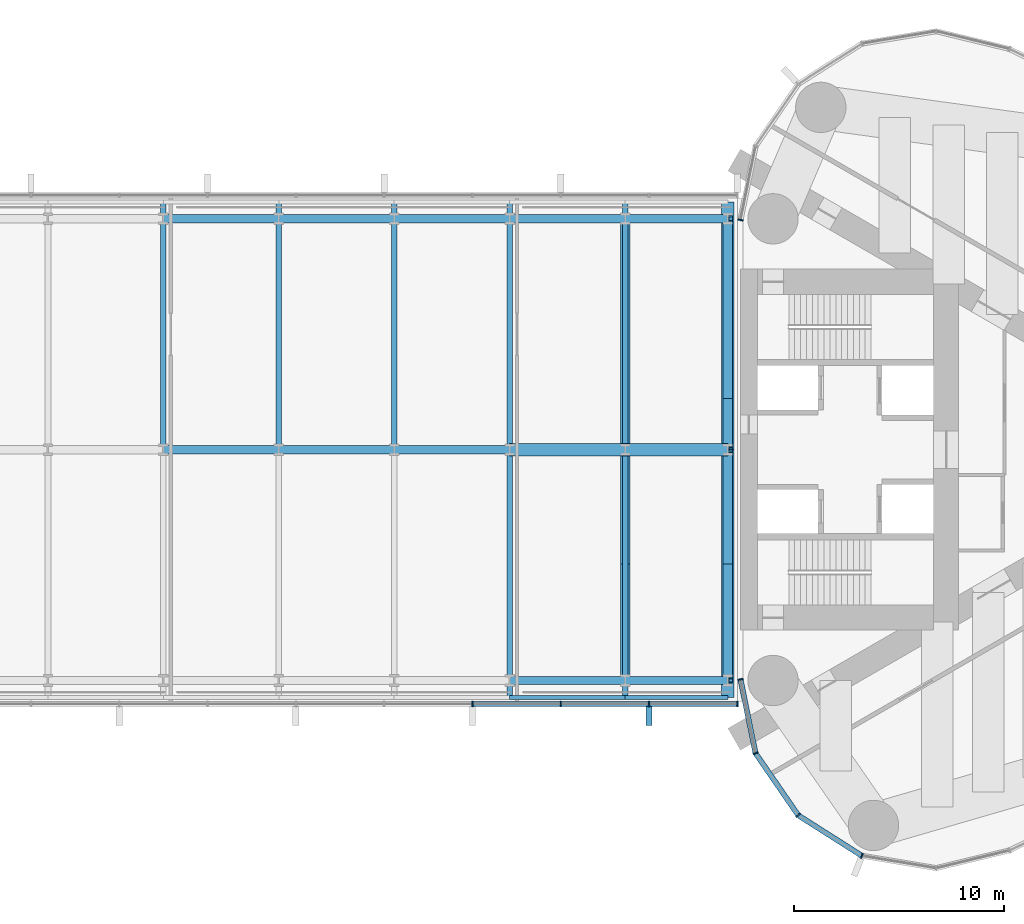
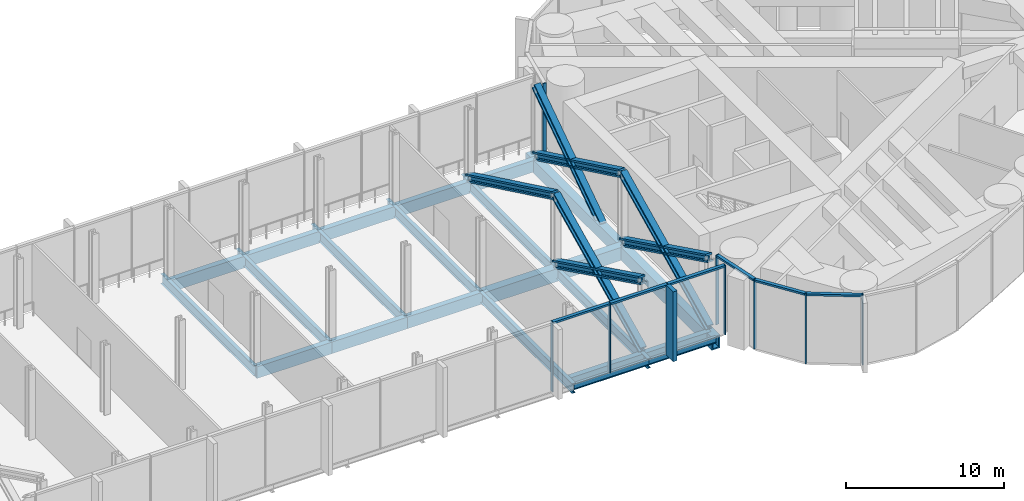
# One storey, part 8 of 21: 23 beams, 23 members, 2 elements without a shape of their own.
"""IFC4 building model written with IfcOpenShell, lengths in metres."""

from ifc_helpers import new_model, si_unit, direction, frame, origin, origin_2d, place, context, subcontext, project, spatial, rectangle, hollow_rectangle, i_section, extrude, material, material_profile, profile_set, type_object, element, aggregate, save


model = new_model("IFC4")

# Units and contexts
model_context = context("Model", 3, precision=1e-05, world=origin(), true_north=direction((0.0, 1.0)))
body_context = subcontext(model_context, "Body", "Model", "MODEL_VIEW")
ifc_project = project(units=[si_unit("LENGTHUNIT", "METRE"), si_unit("AREAUNIT", "SQUARE_METRE"), si_unit("VOLUMEUNIT", "CUBIC_METRE"), si_unit("PLANEANGLEUNIT", "RADIAN"), si_unit("MASSUNIT", "GRAM", prefix="KILO")], contexts=[model_context])

# Site, building, storey
site_placement = place(None, origin())
site = spatial("IfcSite", under=ifc_project, at=site_placement, CompositionType="ELEMENT")
building_placement = place(site_placement, origin())
building = spatial("IfcBuilding", under=site, at=building_placement, Name="Lancet Gate Hotel", CompositionType="ELEMENT")
storey_placement = place(building_placement, frame((0.0, 0.0, 251.89990234375)))
storey = spatial("IfcBuildingStorey", under=building, at=storey_placement, Name="L67", CompositionType="ELEMENT", Elevation=251.89990234375)

# Curtain wall, members
ifc_material_1 = material(Name="Aluminium curtain wall", Category="aluminium")
curtain_wall_type = type_object("IfcCurtainWallType", Name="Sky deck full-height glazing", PredefinedType="USERDEFINED", material=ifc_material_1)
curtain_wall_1_placement = place(storey_placement, origin())
curtain_wall_1 = element("IfcCurtainWall", 1, at=curtain_wall_1_placement, inside=storey, type_object=curtain_wall_type, Name="T2 L67 curtain wall 1", ObjectType="UNITISED CURTAIN WALL", PredefinedType="USERDEFINED")
ifc_material_2 = material(Name="Aluminium mullion", Category="aluminium")
ifc_material_profile_1 = material_profile(ifc_material_2, rectangle(XDim=0.06494140625, YDim=0.25, at=origin_2d()), Name="MULLION 65x250")
ifc_profile_set_1 = profile_set([ifc_material_profile_1], Name="Aluminium mullion")
member_type_1 = type_object("IfcMemberType", Name="Aluminium mullion 65x250", PredefinedType="MULLION", material=ifc_profile_set_1)
member_1_placement = place(storey_placement, frame((27.5, -10.947998046875, 0.0), z_axis=(0.0, 0.0, 1.0), x_axis=(0.199533486841, -0.979891008036, 0.0)))
member_1 = element("IfcMember", 2, at=member_1_placement, type_object=member_type_1, Name="T2 L67 curtain wall 1 mullion 1", PredefinedType="MULLION", context=body_context, shape_type="SweptSolid", body=[
    extrude(rectangle(XDim=0.06494140625, YDim=0.25, at=origin_2d()), origin(), (0.0, 0.0, 1.0), 5.400146484375),
])
member_2_placement = place(storey_placement, frame((28.216552734375, -14.467529296875, 0.0), z_axis=(0.0, 0.0, 1.0), x_axis=(0.391042139098, -0.920372775265, 0.0)))
member_2 = element("IfcMember", 3, at=member_2_placement, type_object=member_type_1, Name="T2 L67 curtain wall 1 mullion 2", PredefinedType="MULLION", context=body_context, shape_type="SweptSolid", body=[
    extrude(rectangle(XDim=0.06494140625, YDim=0.25, at=origin_2d()), origin(), (0.0, 0.0, 1.0), 5.400146484375),
])
member_3_placement = place(storey_placement, frame((30.25244140625, -17.42626953125, 0.0), z_axis=(0.0, 0.0, 1.0), x_axis=(0.719809077627, -0.694172090886, 0.0)))
member_3 = element("IfcMember", 4, at=member_3_placement, type_object=member_type_1, Name="T2 L67 curtain wall 1 mullion 3", PredefinedType="MULLION", context=body_context, shape_type="SweptSolid", body=[
    extrude(rectangle(XDim=0.06494140625, YDim=0.25, at=origin_2d()), origin(), (0.0, 0.0, 1.0), 5.400146484375),
])
member_4_placement = place(storey_placement, frame((33.283203125, -19.353515625, 0.0), z_axis=(0.0, 0.0, 1.0), x_axis=(0.93394321776, -0.357421412343, 0.0)))
member_4 = element("IfcMember", 5, at=member_4_placement, type_object=member_type_1, Name="T2 L67 curtain wall 1 mullion 4", PredefinedType="MULLION", context=body_context, shape_type="SweptSolid", body=[
    extrude(rectangle(XDim=0.06494140625, YDim=0.25, at=origin_2d()), origin(), (0.0, 0.0, 1.0), 5.400146484375),
])
member_5_placement = place(storey_placement, frame((27.5, 10.947998046875, 0.0), z_axis=(0.0, 0.0, 1.0), x_axis=(-0.199533486841, -0.979891008036, 0.0)))
member_5 = element("IfcMember", 6, at=member_5_placement, type_object=member_type_1, Name="T2 L67 curtain wall 1 mullion 27", PredefinedType="MULLION", context=body_context, shape_type="SweptSolid", body=[
    extrude(rectangle(XDim=0.06494140625, YDim=0.25, at=origin_2d()), origin(), (0.0, 0.0, 1.0), 5.400146484375),
])

curtain_wall_2_placement = place(storey_placement, origin())
curtain_wall_2 = element("IfcCurtainWall", 7, at=curtain_wall_2_placement, inside=storey, type_object=curtain_wall_type, Name="Bridge block L67 curtain wall S", ObjectType="UNITISED CURTAIN WALL", PredefinedType="USERDEFINED")
member_6_placement = place(storey_placement, frame((14.726806640625, -12.1201171875, 0.0), z_axis=(0.0, 0.0, 1.0), x_axis=(1.0, 0.0, 0.0)))
member_6 = element("IfcMember", 8, at=member_6_placement, type_object=member_type_1, Name="Bridge block L67 curtain wall S mullion 11", PredefinedType="MULLION", context=body_context, shape_type="SweptSolid", body=[
    extrude(rectangle(XDim=0.06494140625, YDim=0.25, at=origin_2d()), origin(), (0.0, 0.0, 1.0), 5.400146484375),
])
member_7_placement = place(storey_placement, frame((18.9345703125, -12.1201171875, 0.0), z_axis=(0.0, 0.0, 1.0), x_axis=(1.0, 0.0, 0.0)))
member_7 = element("IfcMember", 9, at=member_7_placement, type_object=member_type_1, Name="Bridge block L67 curtain wall S mullion 12", PredefinedType="MULLION", context=body_context, shape_type="SweptSolid", body=[
    extrude(rectangle(XDim=0.06494140625, YDim=0.25, at=origin_2d()), origin(), (0.0, 0.0, 1.0), 5.400146484375),
])
member_8_placement = place(storey_placement, frame((23.142333984375, -12.1201171875, 0.0), z_axis=(0.0, 0.0, 1.0), x_axis=(1.0, 0.0, 0.0)))
member_8 = element("IfcMember", 10, at=member_8_placement, type_object=member_type_1, Name="Bridge block L67 curtain wall S mullion 13", PredefinedType="MULLION", context=body_context, shape_type="SweptSolid", body=[
    extrude(rectangle(XDim=0.06494140625, YDim=0.25, at=origin_2d()), origin(), (0.0, 0.0, 1.0), 5.400146484375),
])
member_9_placement = place(storey_placement, frame((27.35009765625, -12.1201171875, 0.0), z_axis=(0.0, 0.0, 1.0), x_axis=(1.0, 0.0, 0.0)))
member_9 = element("IfcMember", 11, at=member_9_placement, type_object=member_type_1, Name="Bridge block L67 curtain wall S mullion 14", PredefinedType="MULLION", context=body_context, shape_type="SweptSolid", body=[
    extrude(rectangle(XDim=0.06494140625, YDim=0.25, at=origin_2d()), origin(), (0.0, 0.0, 1.0), 5.400146484375),
])

# Member
ifc_material_3 = material(Name="Aluminium transom", Category="aluminium")
ifc_material_profile_2 = material_profile(ifc_material_3, rectangle(XDim=0.25, YDim=0.14990234375, at=origin_2d()), Name="TRANSOM 250x150")
ifc_profile_set_2 = profile_set([ifc_material_profile_2], Name="Aluminium transom")
member_type_2 = type_object("IfcMemberType", Name="Aluminium transom 250x150", PredefinedType="USERDEFINED", material=ifc_profile_set_2)
member_10_placement = place(storey_placement, frame((27.506591796875, -10.97998046875, 5.3251953125), z_axis=(0.19952323725, -0.979893095086, 0.0), x_axis=(0.979893095086, 0.19952323725, 0.0)))
member_10 = element("IfcMember", 12, at=member_10_placement, type_object=member_type_2, Name="T2 L67 curtain wall 1 transom 1", ObjectType="TRANSOM", PredefinedType="USERDEFINED", context=body_context, shape_type="SweptSolid", body=[
    extrude(rectangle(XDim=0.25, YDim=0.14990234375, at=origin_2d()), origin(), (0.0, 0.0, 1.0), 3.5263671875),
])

member_11_placement = place(storey_placement, frame((28.235107421875, -14.494140625, 5.3251953125), z_axis=(0.566813768052, -0.82384595183, 0.0), x_axis=(0.82384595183, 0.566813768052, 0.0)))
member_11 = element("IfcMember", 13, at=member_11_placement, type_object=member_type_2, Name="T2 L67 curtain wall 1 transom 2", ObjectType="TRANSOM", PredefinedType="USERDEFINED", context=body_context, shape_type="SweptSolid", body=[
    extrude(rectangle(XDim=0.25, YDim=0.14990234375, at=origin_2d()), origin(), (0.0, 0.0, 1.0), 3.52685546875),
])

member_12_placement = place(storey_placement, frame((30.27978515625, -17.44384765625, 5.3251953125), z_axis=(0.84385811281, -0.536566384938, 0.0), x_axis=(0.536566384938, 0.84385811281, 0.0)))
member_12 = element("IfcMember", 14, at=member_12_placement, type_object=member_type_2, Name="T2 L67 curtain wall 1 transom 3", ObjectType="TRANSOM", PredefinedType="USERDEFINED", context=body_context, shape_type="SweptSolid", body=[
    extrude(rectangle(XDim=0.25, YDim=0.14990234375, at=origin_2d()), origin(), (0.0, 0.0, 1.0), 3.52685546875),
])

aggregate(curtain_wall_1, [member_1, member_2, member_3, member_4, member_5, member_10, member_11, member_12])

member_13_placement = place(storey_placement, frame((14.759521484375, -12.1201171875, 5.3251953125), z_axis=(1.0, 0.0, 0.0), x_axis=(0.0, 1.0, 0.0)))
member_13 = element("IfcMember", 15, at=member_13_placement, type_object=member_type_2, Name="Bridge block L67 curtain wall S transom 11", ObjectType="TRANSOM", PredefinedType="USERDEFINED", context=body_context, shape_type="SweptSolid", body=[
    extrude(rectangle(XDim=0.25, YDim=0.14990234375, at=origin_2d()), origin(), (0.0, 0.0, 1.0), 4.142578125),
])

member_14_placement = place(storey_placement, frame((18.967041015625, -12.1201171875, 5.3251953125), z_axis=(1.0, 0.0, 0.0), x_axis=(0.0, 1.0, 0.0)))
member_14 = element("IfcMember", 16, at=member_14_placement, type_object=member_type_2, Name="Bridge block L67 curtain wall S transom 12", ObjectType="TRANSOM", PredefinedType="USERDEFINED", context=body_context, shape_type="SweptSolid", body=[
    extrude(rectangle(XDim=0.25, YDim=0.14990234375, at=origin_2d()), origin(), (0.0, 0.0, 1.0), 4.142822265625),
])

member_15_placement = place(storey_placement, frame((23.1748046875, -12.1201171875, 5.3251953125), z_axis=(1.0, 0.0, 0.0), x_axis=(0.0, 1.0, 0.0)))
member_15 = element("IfcMember", 17, at=member_15_placement, type_object=member_type_2, Name="Bridge block L67 curtain wall S transom 13", ObjectType="TRANSOM", PredefinedType="USERDEFINED", context=body_context, shape_type="SweptSolid", body=[
    extrude(rectangle(XDim=0.25, YDim=0.14990234375, at=origin_2d()), origin(), (0.0, 0.0, 1.0), 4.142578125),
])

# Beams
ifc_material_4 = material(Name="Steel S355", Category="steel")
ifc_material_profile_3 = material_profile(ifc_material_4, i_section(OverallWidth=0.26806640625, OverallDepth=0.769775390625, WebThickness=0.015625, FlangeThickness=0.025390625, FilletRadius=0.0166015625, at=origin_2d()), Name="UKB 762x267x197")
ifc_profile_set_3 = profile_set([ifc_material_profile_3], Name="Steel S355")
beam_type_1 = type_object("IfcBeamType", Name="Block assembly floor beam UKB 762x267x197", PredefinedType="JOIST", material=ifc_profile_set_3)
for number, where, z_axis, x_axis, name in (
    (18, (0.0, 0.0, -0.584716796875), (0.0, 1.0, 0.0), (-1.0, 0.0, 0.0), "Block beam x5 N L67"),
    (19, (5.5, 0.0, -0.584716796875), (0.0, 1.0, 0.0), (-1.0, 0.0, 0.0), "Block beam x6 N L67"),
    (20, (11.0, 0.0, -0.584716796875), (0.0, 1.0, 0.0), (-1.0, 0.0, 0.0), "Block beam x7 N L67"),
    (21, (16.5, -11.800048828125, -0.584716796875), (0.0, 1.0, 0.0), (-1.0, 0.0, 0.0), "Block beam x8 S L67"),
    (22, (16.5, 0.0, -0.584716796875), (0.0, 1.0, 0.0), (-1.0, 0.0, 0.0), "Block beam x8 N L67"),
    (23, (22.0, -11.800048828125, -0.584716796875), (0.0, 1.0, 0.0), (-1.0, 0.0, 0.0), "Block beam x9 S L67"),
    (24, (22.0, 0.0, -0.584716796875), (0.0, 1.0, 0.0), (-1.0, 0.0, 0.0), "Block beam x9 N L67"),
):
    element("IfcBeam", number, at=place(storey_placement, frame(where, z_axis=z_axis, x_axis=x_axis)), inside=storey, type_object=beam_type_1, Name=name, PredefinedType="JOIST", context=body_context, shape_type="SweptSolid", body=[
        extrude(i_section(OverallWidth=0.26806640625, OverallDepth=0.769775390625, WebThickness=0.015625, FlangeThickness=0.025390625, FilletRadius=0.0166015625, at=origin_2d()), origin(), (0.0, 0.0, 1.0), 11.800048828125),
    ])

# Members
ifc_material_5 = material(Name="Steel S460", Category="steel")
ifc_material_profile_4 = material_profile(ifc_material_5, i_section(OverallWidth=0.4541015625, OverallDepth=0.569091796875, WebThickness=0.077880859375, FlangeThickness=0.125, FilletRadius=0.02001953125, at=origin_2d()), Name="HD 400x1086")
ifc_profile_set_4 = profile_set([ifc_material_profile_4], Name="Steel S460")
member_type_3 = type_object("IfcMemberType", Name="Block brace HD 400x1086", PredefinedType="BRACE", material=ifc_profile_set_4)
member_16_placement = place(storey_placement, frame((26.89990234375, -11.0, 0.0), z_axis=(0.0, 0.900881511116, 0.434065090661), x_axis=(-1.0, 0.0, 0.0)))
element("IfcMember", 25, at=member_16_placement, inside=storey, type_object=member_type_3, Name="Block brace EY11 L67", PredefinedType="BRACE", context=body_context, shape_type="SweptSolid", body=[
    extrude(i_section(OverallWidth=0.4541015625, OverallDepth=0.569091796875, WebThickness=0.077880859375, FlangeThickness=0.125, FilletRadius=0.02001953125, at=origin_2d()), origin(), (0.0, 0.0, 1.0), 12.210205078125),
])
member_17_placement = place(storey_placement, frame((26.89990234375, 0.0, 0.0), z_axis=(0.0, -0.897662881785, 0.440682823202), x_axis=(1.0, 0.0, 0.0)))
element("IfcMember", 26, at=member_17_placement, inside=storey, type_object=member_type_3, Name="Block brace EY12 L67", PredefinedType="BRACE", context=body_context, shape_type="SweptSolid", body=[
    extrude(i_section(OverallWidth=0.4541015625, OverallDepth=0.569091796875, WebThickness=0.077880859375, FlangeThickness=0.125, FilletRadius=0.02001953125, at=origin_2d()), origin(), (0.0, 0.0, 1.0), 12.254150390625),
])
for number, where, z_axis, x_axis, name in (
    (27, (26.89990234375, 11.0, 0.0), (0.0, -0.900881511116, 0.434065090661), (1.0, 0.0, 0.0), "Block brace EY22 L67"),
    (28, (22.0, -11.0, 0.0), (0.0, 0.900881511116, 0.434065090661), (-1.0, 0.0, 0.0), "Block brace EI11 L67"),
):
    element("IfcMember", number, at=place(storey_placement, frame(where, z_axis=z_axis, x_axis=x_axis)), inside=storey, type_object=member_type_3, Name=name, PredefinedType="BRACE", context=body_context, shape_type="SweptSolid", body=[
        extrude(i_section(OverallWidth=0.4541015625, OverallDepth=0.569091796875, WebThickness=0.077880859375, FlangeThickness=0.125, FilletRadius=0.02001953125, at=origin_2d()), origin(), (0.0, 0.0, 1.0), 12.210205078125),
    ])
member_18_placement = place(storey_placement, frame((22.0, 0.0, 0.0), z_axis=(0.0, -0.897662881785, 0.440682823202), x_axis=(1.0, 0.0, 0.0)))
element("IfcMember", 29, at=member_18_placement, inside=storey, type_object=member_type_3, Name="Block brace EI12 L67", PredefinedType="BRACE", context=body_context, shape_type="SweptSolid", body=[
    extrude(i_section(OverallWidth=0.4541015625, OverallDepth=0.569091796875, WebThickness=0.077880859375, FlangeThickness=0.125, FilletRadius=0.02001953125, at=origin_2d()), origin(), (0.0, 0.0, 1.0), 12.254150390625),
])
member_19_placement = place(storey_placement, frame((22.0, 11.0, 0.0), z_axis=(0.0, -0.900881511116, 0.434065090661), x_axis=(1.0, 0.0, 0.0)))
element("IfcMember", 30, at=member_19_placement, inside=storey, type_object=member_type_3, Name="Block brace EI22 L67", PredefinedType="BRACE", context=body_context, shape_type="SweptSolid", body=[
    extrude(i_section(OverallWidth=0.4541015625, OverallDepth=0.569091796875, WebThickness=0.077880859375, FlangeThickness=0.125, FilletRadius=0.02001953125, at=origin_2d()), origin(), (0.0, 0.0, 1.0), 12.210205078125),
])
member_20_placement = place(storey_placement, frame((26.89990234375, 2.60009765625, -0.2998046875), z_axis=(0.0, 0.827474976215, 0.561502594596), x_axis=(-1.0, 0.0, 0.0)))
element("IfcMember", 31, at=member_20_placement, inside=storey, type_object=member_type_3, Name="Block brace EY23 L67", PredefinedType="BRACE", context=body_context, shape_type="SweptSolid", body=[
    extrude(i_section(OverallWidth=0.4541015625, OverallDepth=0.569091796875, WebThickness=0.077880859375, FlangeThickness=0.125, FilletRadius=0.02001953125, at=origin_2d()), origin(), (0.0, 0.0, 1.0), 10.1513671875),
])

# Beams
ifc_material_6 = material(Name="Steel S355", Category="steel")
ifc_material_profile_5 = material_profile(ifc_material_6, i_section(OverallWidth=0.19140625, OverallDepth=0.4599609375, WebThickness=0.010009765625, FlangeThickness=0.01611328125, FilletRadius=0.01025390625, at=origin_2d()), Name="UKB 457x191x82")
ifc_profile_set_5 = profile_set([ifc_material_profile_5], Name="Steel S355")
beam_type_2 = type_object("IfcBeamType", Name="Block edge beam UKB 457x191x82", PredefinedType="SPANDREL", material=ifc_profile_set_5)
beam_1_placement = place(storey_placement, frame((16.5, -11.800048828125, -0.429931640625), z_axis=(1.0, 0.0, 0.0), x_axis=(0.0, 1.0, 0.0)))
element("IfcBeam", 32, at=beam_1_placement, inside=storey, type_object=beam_type_2, Name="Block edge beam S 8-9 L67", PredefinedType="SPANDREL", context=body_context, shape_type="SweptSolid", body=[
    extrude(i_section(OverallWidth=0.19140625, OverallDepth=0.4599609375, WebThickness=0.010009765625, FlangeThickness=0.01611328125, FilletRadius=0.01025390625, at=origin_2d()), origin(), (0.0, 0.0, 1.0), 5.5),
])
beam_2_placement = place(storey_placement, frame((22.0, -11.800048828125, -0.429931640625), z_axis=(1.0, 0.0, 0.0), x_axis=(0.0, 1.0, 0.0)))
element("IfcBeam", 33, at=beam_2_placement, inside=storey, type_object=beam_type_2, Name="Block edge beam S 9-10 L67", PredefinedType="SPANDREL", context=body_context, shape_type="SweptSolid", body=[
    extrude(i_section(OverallWidth=0.19140625, OverallDepth=0.4599609375, WebThickness=0.010009765625, FlangeThickness=0.01611328125, FilletRadius=0.01025390625, at=origin_2d()), origin(), (0.0, 0.0, 1.0), 4.89990234375),
])
ifc_material_7 = material(Name="Steel S460QL", Category="steel")
ifc_material_profile_6 = material_profile(ifc_material_7, hollow_rectangle(XDim=0.60009765625, YDim=1.0, WallThickness=0.10009765625, at=origin_2d()), Name="BOX 1000x600x100")
ifc_profile_set_6 = profile_set([ifc_material_profile_6], Name="Steel S460QL")
beam_type_3 = type_object("IfcBeamType", Name="Block end beam BOX 1000x600x100", PredefinedType="BEAM", material=ifc_profile_set_6)
for number, where, z_axis, x_axis, name in (
    (34, (26.89990234375, -11.800048828125, -0.699951171875), (0.0, 1.0, 0.0), (-1.0, 0.0, 0.0), "Block beam x10 S L67"),
    (35, (26.89990234375, 0.0, -0.699951171875), (0.0, 1.0, 0.0), (-1.0, 0.0, 0.0), "Block beam x10 N L67"),
):
    element("IfcBeam", number, at=place(storey_placement, frame(where, z_axis=z_axis, x_axis=x_axis)), inside=storey, type_object=beam_type_3, Name=name, PredefinedType="BEAM", context=body_context, shape_type="SweptSolid", body=[
        extrude(hollow_rectangle(XDim=0.60009765625, YDim=1.0, WallThickness=0.10009765625, at=origin_2d()), origin(), (0.0, 0.0, 1.0), 11.800048828125),
    ])
ifc_material_8 = material(Name="Steel S460QL", Category="steel")
ifc_material_profile_7 = material_profile(ifc_material_8, hollow_rectangle(XDim=0.60009765625, YDim=1.0, WallThickness=0.080078125, at=origin_2d()), Name="BOX 1000x600x80")
ifc_profile_set_7 = profile_set([ifc_material_profile_7], Name="Steel S460QL")
beam_type_4 = type_object("IfcBeamType", Name="Block primary beam BOX 1000x600x80", PredefinedType="BEAM", material=ifc_profile_set_7)
beam_3_placement = place(storey_placement, frame((16.5, 0.0, -0.699951171875), z_axis=(1.0, 0.0, 0.0), x_axis=(0.0, 1.0, 0.0)))
element("IfcBeam", 36, at=beam_3_placement, inside=storey, type_object=beam_type_4, Name="Block primary beam M 9 L67", PredefinedType="BEAM", context=body_context, shape_type="SweptSolid", body=[
    extrude(hollow_rectangle(XDim=0.60009765625, YDim=1.0, WallThickness=0.080078125, at=origin_2d()), origin(), (0.0, 0.0, 1.0), 5.5),
])
beam_4_placement = place(storey_placement, frame((22.0, 0.0, -0.699951171875), z_axis=(1.0, 0.0, 0.0), x_axis=(0.0, 1.0, 0.0)))
element("IfcBeam", 37, at=beam_4_placement, inside=storey, type_object=beam_type_4, Name="Block primary beam M 10 L67", PredefinedType="BEAM", context=body_context, shape_type="SweptSolid", body=[
    extrude(hollow_rectangle(XDim=0.60009765625, YDim=1.0, WallThickness=0.080078125, at=origin_2d()), origin(), (0.0, 0.0, 1.0), 4.89990234375),
])
ifc_material_9 = material(Name="Steel S355", Category="steel")
ifc_material_profile_8 = material_profile(ifc_material_9, hollow_rectangle(XDim=0.39990234375, YDim=0.89990234375, WallThickness=0.0400390625, at=origin_2d()), Name="BOX 900x400x40")
ifc_profile_set_8 = profile_set([ifc_material_profile_8], Name="Steel S355")
beam_type_5 = type_object("IfcBeamType", Name="Block primary beam BOX 900x400x40", PredefinedType="BEAM", material=ifc_profile_set_8)
beam_5_placement = place(storey_placement, frame((16.5, -11.0, -0.64990234375), z_axis=(1.0, 0.0, 0.0), x_axis=(0.0, 1.0, 0.0)))
element("IfcBeam", 38, at=beam_5_placement, inside=storey, type_object=beam_type_5, Name="Block primary beam S 9 L67", PredefinedType="BEAM", context=body_context, shape_type="SweptSolid", body=[
    extrude(hollow_rectangle(XDim=0.39990234375, YDim=0.89990234375, WallThickness=0.0400390625, at=origin_2d()), origin(), (0.0, 0.0, 1.0), 5.5),
])
beam_6_placement = place(storey_placement, frame((22.0, -11.0, -0.64990234375), z_axis=(1.0, 0.0, 0.0), x_axis=(0.0, 1.0, 0.0)))
element("IfcBeam", 39, at=beam_6_placement, inside=storey, type_object=beam_type_5, Name="Block primary beam S 10 L67", PredefinedType="BEAM", context=body_context, shape_type="SweptSolid", body=[
    extrude(hollow_rectangle(XDim=0.39990234375, YDim=0.89990234375, WallThickness=0.0400390625, at=origin_2d()), origin(), (0.0, 0.0, 1.0), 4.89990234375),
])
for number, where, z_axis, x_axis, name in (
    (40, (0.0, 0.0, -0.64990234375), (1.0, 0.0, 0.0), (0.0, 1.0, 0.0), "Block primary beam M 6 L67"),
    (41, (5.5, 0.0, -0.64990234375), (1.0, 0.0, 0.0), (0.0, 1.0, 0.0), "Block primary beam M 7 L67"),
    (42, (11.0, 0.0, -0.64990234375), (1.0, 0.0, 0.0), (0.0, 1.0, 0.0), "Block primary beam M 8 L67"),
    (43, (0.0, 11.0, -0.64990234375), (1.0, 0.0, 0.0), (0.0, 1.0, 0.0), "Block primary beam N 6 L67"),
    (44, (5.5, 11.0, -0.64990234375), (1.0, 0.0, 0.0), (0.0, 1.0, 0.0), "Block primary beam N 7 L67"),
    (45, (11.0, 11.0, -0.64990234375), (1.0, 0.0, 0.0), (0.0, 1.0, 0.0), "Block primary beam N 8 L67"),
    (46, (16.5, 11.0, -0.64990234375), (1.0, 0.0, 0.0), (0.0, 1.0, 0.0), "Block primary beam N 9 L67"),
):
    element("IfcBeam", number, at=place(storey_placement, frame(where, z_axis=z_axis, x_axis=x_axis)), inside=storey, type_object=beam_type_5, Name=name, PredefinedType="BEAM", context=body_context, shape_type="SweptSolid", body=[
        extrude(hollow_rectangle(XDim=0.39990234375, YDim=0.89990234375, WallThickness=0.0400390625, at=origin_2d()), origin(), (0.0, 0.0, 1.0), 5.5),
    ])
beam_7_placement = place(storey_placement, frame((22.0, 11.0, -0.64990234375), z_axis=(1.0, 0.0, 0.0), x_axis=(0.0, 1.0, 0.0)))
element("IfcBeam", 47, at=beam_7_placement, inside=storey, type_object=beam_type_5, Name="Block primary beam N 10 L67", PredefinedType="BEAM", context=body_context, shape_type="SweptSolid", body=[
    extrude(hollow_rectangle(XDim=0.39990234375, YDim=0.89990234375, WallThickness=0.0400390625, at=origin_2d()), origin(), (0.0, 0.0, 1.0), 4.89990234375),
])

# Member
ifc_material_10 = material(Name="Precast concrete C50/60", Category="concrete")
ifc_material_profile_9 = material_profile(ifc_material_10, rectangle(XDim=0.300048828125, YDim=0.89990234375, at=origin_2d()), Name="FIN 300x900")
ifc_profile_set_9 = profile_set([ifc_material_profile_9], Name="Precast concrete C50/60")
member_type_4 = type_object("IfcMemberType", Name="Exposed concrete fin 300x900", PredefinedType="USERDEFINED", material=ifc_profile_set_9)
member_21_placement = place(storey_placement, frame((23.142333984375, -12.695068359375, 0.0), z_axis=(0.0, 0.0, 1.0), x_axis=(1.0, 0.0, 0.0)))
member_21 = element("IfcMember", 48, at=member_21_placement, type_object=member_type_4, Name="Bridge block L67 curtain wall S fin 13", ObjectType="FIN", PredefinedType="USERDEFINED", context=body_context, shape_type="SweptSolid", body=[
    extrude(rectangle(XDim=0.300048828125, YDim=0.89990234375, at=origin_2d()), origin(), (0.0, 0.0, 1.0), 5.400146484375),
])

aggregate(curtain_wall_2, [member_6, member_7, member_8, member_21, member_9, member_13, member_14, member_15])

save(model, "model.ifc")
